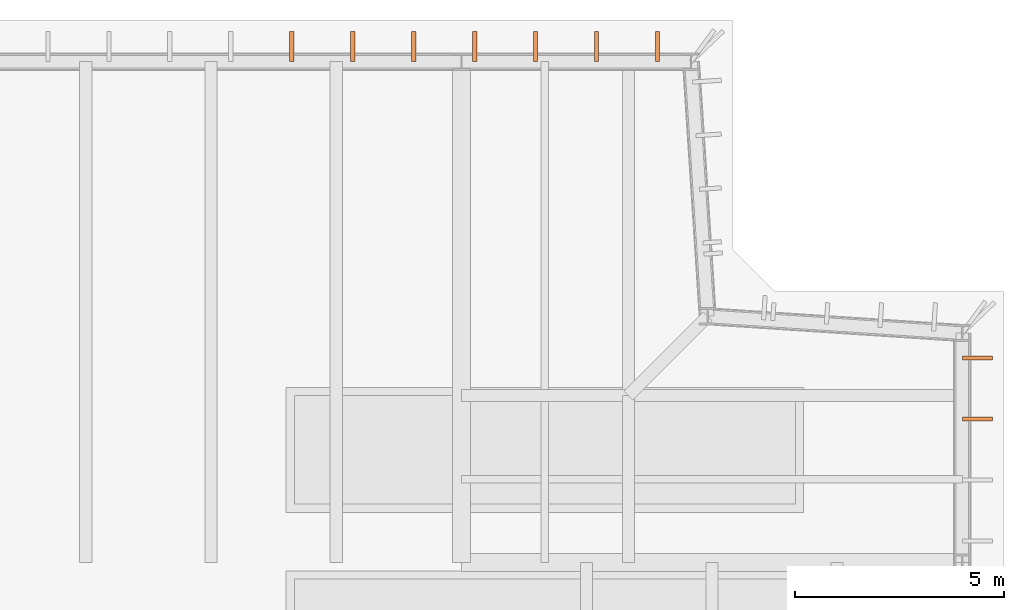
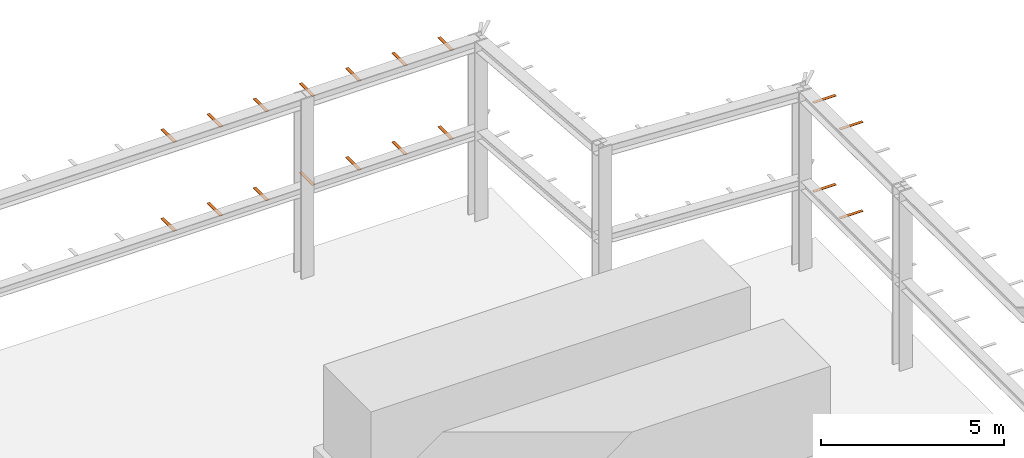
# One storey, part 8 of 8: 18 proxies.
"""IFC4 building model written with IfcOpenShell, lengths in metres."""

from ifc_helpers import new_model, si_unit, direction, frame, origin, origin_2d, place, context, subcontext, project, spatial, rectangle, extrude, material, material_profile, profile_set, type_object, element, save


model = new_model("IFC4")

# Units and contexts
model_context = context("Model", 3, precision=1e-05, world=origin(), true_north=direction((0.0, 1.0)))
body_context = subcontext(model_context, "Body", "Model", "MODEL_VIEW")
ifc_project = project(units=[si_unit("LENGTHUNIT", "METRE"), si_unit("AREAUNIT", "SQUARE_METRE"), si_unit("VOLUMEUNIT", "CUBIC_METRE"), si_unit("PLANEANGLEUNIT", "RADIAN"), si_unit("MASSUNIT", "GRAM", prefix="KILO")], contexts=[model_context])

# Site, building, storey
site_placement = place(None, origin())
site = spatial("IfcSite", under=ifc_project, at=site_placement, CompositionType="ELEMENT")
building_placement = place(site_placement, origin())
building = spatial("IfcBuilding", under=site, at=building_placement, Name="Fenwick Lantern Interchange", CompositionType="ELEMENT")
storey_placement = place(building_placement, frame((0.0, 0.0, 313.800048828125)))
storey = spatial("IfcBuildingStorey", under=building, at=storey_placement, Name="RF-A", CompositionType="ELEMENT", Elevation=313.800048828125)

# Proxies
ifc_material = material(Name="Steel ASTM A572 Grade 50", Category="steel")
ifc_material_profile = material_profile(ifc_material, rectangle(XDim=0.10009765625, YDim=0.011962890625, at=origin_2d()), Name="PL100X12")
ifc_profile_set = profile_set([ifc_material_profile], Name="Steel ASTM A572 Grade 50")
building_element_proxy_type = type_object("IfcBuildingElementProxyType", Name="LANTERN TIE BRACKET PL 100 X 12", PredefinedType="USERDEFINED", material=ifc_profile_set)
proxy_1_placement = place(storey_placement, frame((49.72509765625, 40.4384765625, 2.84619140625), z_axis=(-1.0, 0.0, 0.0), x_axis=(0.0, -1.0, 0.0)))
element("IfcBuildingElementProxy", 1, at=proxy_1_placement, inside=storey, type_object=building_element_proxy_type, Name="Lantern tie bracket", ObjectType="LANTERN TIE BRACKET", PredefinedType="USERDEFINED", context=body_context, shape_type="SweptSolid", body=[
    extrude(rectangle(XDim=0.10009765625, YDim=0.011962890625, at=origin_2d()), origin(), (0.0, 0.0, 1.0), 0.72021484375),
])
proxy_2_placement = place(storey_placement, frame((49.72509765625, 40.4384765625, 5.822265625), z_axis=(-1.0, 0.0, 0.0), x_axis=(0.0, -1.0, 0.0)))
element("IfcBuildingElementProxy", 2, at=proxy_2_placement, inside=storey, type_object=building_element_proxy_type, Name="Lantern tie bracket", ObjectType="LANTERN TIE BRACKET", PredefinedType="USERDEFINED", context=body_context, shape_type="SweptSolid", body=[
    extrude(rectangle(XDim=0.10009765625, YDim=0.011962890625, at=origin_2d()), origin(), (0.0, 0.0, 1.0), 0.719482421875),
])
proxy_3_placement = place(storey_placement, frame((49.72509765625, 41.899169921875, 2.84619140625), z_axis=(-1.0, 0.0, 0.0), x_axis=(0.0, -1.0, 0.0)))
element("IfcBuildingElementProxy", 3, at=proxy_3_placement, inside=storey, type_object=building_element_proxy_type, Name="Lantern tie bracket", ObjectType="LANTERN TIE BRACKET", PredefinedType="USERDEFINED", context=body_context, shape_type="SweptSolid", body=[
    extrude(rectangle(XDim=0.10009765625, YDim=0.011962890625, at=origin_2d()), origin(), (0.0, 0.0, 1.0), 0.72021484375),
])
proxy_4_placement = place(storey_placement, frame((49.72509765625, 41.899169921875, 5.822265625), z_axis=(-1.0, 0.0, 0.0), x_axis=(0.0, -1.0, 0.0)))
element("IfcBuildingElementProxy", 4, at=proxy_4_placement, inside=storey, type_object=building_element_proxy_type, Name="Lantern tie bracket", ObjectType="LANTERN TIE BRACKET", PredefinedType="USERDEFINED", context=body_context, shape_type="SweptSolid", body=[
    extrude(rectangle(XDim=0.10009765625, YDim=0.011962890625, at=origin_2d()), origin(), (0.0, 0.0, 1.0), 0.719482421875),
])
proxy_5_placement = place(storey_placement, frame((41.69921875, 49.72509765625, 2.84619140625), z_axis=(0.0, -1.0, 0.0), x_axis=(1.0, 0.0, 0.0)))
element("IfcBuildingElementProxy", 5, at=proxy_5_placement, inside=storey, type_object=building_element_proxy_type, Name="Lantern tie bracket", ObjectType="LANTERN TIE BRACKET", PredefinedType="USERDEFINED", context=body_context, shape_type="SweptSolid", body=[
    extrude(rectangle(XDim=0.10009765625, YDim=0.011962890625, at=origin_2d()), origin(), (0.0, 0.0, 1.0), 0.72021484375),
])
proxy_6_placement = place(storey_placement, frame((41.69921875, 49.72509765625, 5.822265625), z_axis=(0.0, -1.0, 0.0), x_axis=(1.0, 0.0, 0.0)))
element("IfcBuildingElementProxy", 6, at=proxy_6_placement, inside=storey, type_object=building_element_proxy_type, Name="Lantern tie bracket", ObjectType="LANTERN TIE BRACKET", PredefinedType="USERDEFINED", context=body_context, shape_type="SweptSolid", body=[
    extrude(rectangle(XDim=0.10009765625, YDim=0.011962890625, at=origin_2d()), origin(), (0.0, 0.0, 1.0), 0.719482421875),
])
proxy_7_placement = place(storey_placement, frame((40.23828125, 49.72509765625, 2.84619140625), z_axis=(0.0, -1.0, 0.0), x_axis=(1.0, 0.0, 0.0)))
element("IfcBuildingElementProxy", 7, at=proxy_7_placement, inside=storey, type_object=building_element_proxy_type, Name="Lantern tie bracket", ObjectType="LANTERN TIE BRACKET", PredefinedType="USERDEFINED", context=body_context, shape_type="SweptSolid", body=[
    extrude(rectangle(XDim=0.10009765625, YDim=0.011962890625, at=origin_2d()), origin(), (0.0, 0.0, 1.0), 0.72021484375),
])
proxy_8_placement = place(storey_placement, frame((40.23828125, 49.72509765625, 5.822265625), z_axis=(0.0, -1.0, 0.0), x_axis=(1.0, 0.0, 0.0)))
element("IfcBuildingElementProxy", 8, at=proxy_8_placement, inside=storey, type_object=building_element_proxy_type, Name="Lantern tie bracket", ObjectType="LANTERN TIE BRACKET", PredefinedType="USERDEFINED", context=body_context, shape_type="SweptSolid", body=[
    extrude(rectangle(XDim=0.10009765625, YDim=0.011962890625, at=origin_2d()), origin(), (0.0, 0.0, 1.0), 0.719482421875),
])
proxy_9_placement = place(storey_placement, frame((38.777587890625, 49.72509765625, 2.84619140625), z_axis=(0.0, -1.0, 0.0), x_axis=(1.0, 0.0, 0.0)))
element("IfcBuildingElementProxy", 9, at=proxy_9_placement, inside=storey, type_object=building_element_proxy_type, Name="Lantern tie bracket", ObjectType="LANTERN TIE BRACKET", PredefinedType="USERDEFINED", context=body_context, shape_type="SweptSolid", body=[
    extrude(rectangle(XDim=0.10009765625, YDim=0.011962890625, at=origin_2d()), origin(), (0.0, 0.0, 1.0), 0.72021484375),
])
proxy_10_placement = place(storey_placement, frame((38.777587890625, 49.72509765625, 5.822265625), z_axis=(0.0, -1.0, 0.0), x_axis=(1.0, 0.0, 0.0)))
element("IfcBuildingElementProxy", 10, at=proxy_10_placement, inside=storey, type_object=building_element_proxy_type, Name="Lantern tie bracket", ObjectType="LANTERN TIE BRACKET", PredefinedType="USERDEFINED", context=body_context, shape_type="SweptSolid", body=[
    extrude(rectangle(XDim=0.10009765625, YDim=0.011962890625, at=origin_2d()), origin(), (0.0, 0.0, 1.0), 0.719482421875),
])
proxy_11_placement = place(storey_placement, frame((37.31689453125, 49.72509765625, 2.84619140625), z_axis=(0.0, -1.0, 0.0), x_axis=(1.0, 0.0, 0.0)))
element("IfcBuildingElementProxy", 11, at=proxy_11_placement, inside=storey, type_object=building_element_proxy_type, Name="Lantern tie bracket", ObjectType="LANTERN TIE BRACKET", PredefinedType="USERDEFINED", context=body_context, shape_type="SweptSolid", body=[
    extrude(rectangle(XDim=0.10009765625, YDim=0.011962890625, at=origin_2d()), origin(), (0.0, 0.0, 1.0), 0.72021484375),
])
proxy_12_placement = place(storey_placement, frame((37.31689453125, 49.72509765625, 5.822265625), z_axis=(0.0, -1.0, 0.0), x_axis=(1.0, 0.0, 0.0)))
element("IfcBuildingElementProxy", 12, at=proxy_12_placement, inside=storey, type_object=building_element_proxy_type, Name="Lantern tie bracket", ObjectType="LANTERN TIE BRACKET", PredefinedType="USERDEFINED", context=body_context, shape_type="SweptSolid", body=[
    extrude(rectangle(XDim=0.10009765625, YDim=0.011962890625, at=origin_2d()), origin(), (0.0, 0.0, 1.0), 0.719482421875),
])
proxy_13_placement = place(storey_placement, frame((35.85595703125, 49.72509765625, 2.84619140625), z_axis=(0.0, -1.0, 0.0), x_axis=(1.0, 0.0, 0.0)))
element("IfcBuildingElementProxy", 13, at=proxy_13_placement, inside=storey, type_object=building_element_proxy_type, Name="Lantern tie bracket", ObjectType="LANTERN TIE BRACKET", PredefinedType="USERDEFINED", context=body_context, shape_type="SweptSolid", body=[
    extrude(rectangle(XDim=0.10009765625, YDim=0.011962890625, at=origin_2d()), origin(), (0.0, 0.0, 1.0), 0.72021484375),
])
proxy_14_placement = place(storey_placement, frame((35.85595703125, 49.72509765625, 5.822265625), z_axis=(0.0, -1.0, 0.0), x_axis=(1.0, 0.0, 0.0)))
element("IfcBuildingElementProxy", 14, at=proxy_14_placement, inside=storey, type_object=building_element_proxy_type, Name="Lantern tie bracket", ObjectType="LANTERN TIE BRACKET", PredefinedType="USERDEFINED", context=body_context, shape_type="SweptSolid", body=[
    extrude(rectangle(XDim=0.10009765625, YDim=0.011962890625, at=origin_2d()), origin(), (0.0, 0.0, 1.0), 0.719482421875),
])
proxy_15_placement = place(storey_placement, frame((34.395263671875, 49.72509765625, 2.84619140625), z_axis=(0.0, -1.0, 0.0), x_axis=(1.0, 0.0, 0.0)))
element("IfcBuildingElementProxy", 15, at=proxy_15_placement, inside=storey, type_object=building_element_proxy_type, Name="Lantern tie bracket", ObjectType="LANTERN TIE BRACKET", PredefinedType="USERDEFINED", context=body_context, shape_type="SweptSolid", body=[
    extrude(rectangle(XDim=0.10009765625, YDim=0.011962890625, at=origin_2d()), origin(), (0.0, 0.0, 1.0), 0.72021484375),
])
proxy_16_placement = place(storey_placement, frame((34.395263671875, 49.72509765625, 5.822265625), z_axis=(0.0, -1.0, 0.0), x_axis=(1.0, 0.0, 0.0)))
element("IfcBuildingElementProxy", 16, at=proxy_16_placement, inside=storey, type_object=building_element_proxy_type, Name="Lantern tie bracket", ObjectType="LANTERN TIE BRACKET", PredefinedType="USERDEFINED", context=body_context, shape_type="SweptSolid", body=[
    extrude(rectangle(XDim=0.10009765625, YDim=0.011962890625, at=origin_2d()), origin(), (0.0, 0.0, 1.0), 0.719482421875),
])
proxy_17_placement = place(storey_placement, frame((32.934326171875, 49.72509765625, 2.84619140625), z_axis=(0.0, -1.0, 0.0), x_axis=(1.0, 0.0, 0.0)))
element("IfcBuildingElementProxy", 17, at=proxy_17_placement, inside=storey, type_object=building_element_proxy_type, Name="Lantern tie bracket", ObjectType="LANTERN TIE BRACKET", PredefinedType="USERDEFINED", context=body_context, shape_type="SweptSolid", body=[
    extrude(rectangle(XDim=0.10009765625, YDim=0.011962890625, at=origin_2d()), origin(), (0.0, 0.0, 1.0), 0.72021484375),
])
proxy_18_placement = place(storey_placement, frame((32.934326171875, 49.72509765625, 5.822265625), z_axis=(0.0, -1.0, 0.0), x_axis=(1.0, 0.0, 0.0)))
element("IfcBuildingElementProxy", 18, at=proxy_18_placement, inside=storey, type_object=building_element_proxy_type, Name="Lantern tie bracket", ObjectType="LANTERN TIE BRACKET", PredefinedType="USERDEFINED", context=body_context, shape_type="SweptSolid", body=[
    extrude(rectangle(XDim=0.10009765625, YDim=0.011962890625, at=origin_2d()), origin(), (0.0, 0.0, 1.0), 0.719482421875),
])

save(model, "model.ifc")
